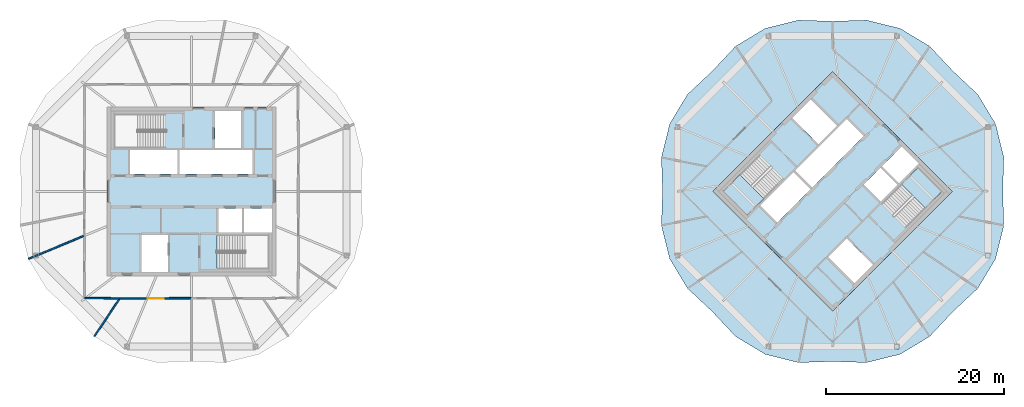
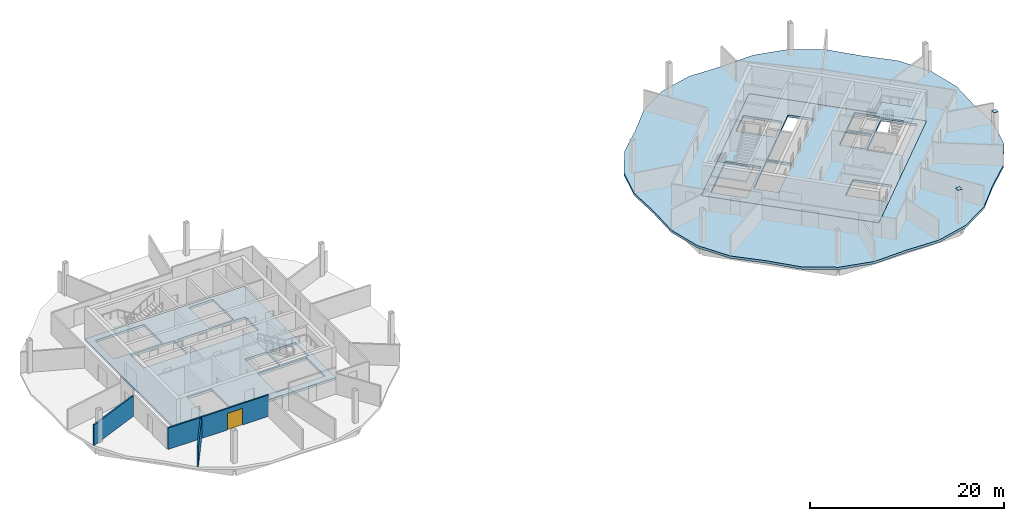
# One storey, part 4 of 10: 5 slabs, 4 walls, 2 plates, 1 door, 1 opening, 2 elements without a shape of their own.
"""IFC4 building model written with IfcOpenShell, lengths in metres."""

from ifc_helpers import new_model, si_unit, direction, frame, frame_2d, origin, place, context, subcontext, project, spatial, polyline, rectangle, outline, extrude, material, layer, layer_set, type_object, element, fill, aggregate, save


model = new_model("IFC4")

# Units and contexts
model_context = context("Model", 3, precision=1e-05, world=origin(), true_north=direction((0.0, 1.0)))
body_context = subcontext(model_context, "Body", "Model", "MODEL_VIEW")
ifc_project = project(units=[si_unit("LENGTHUNIT", "METRE"), si_unit("AREAUNIT", "SQUARE_METRE"), si_unit("VOLUMEUNIT", "CUBIC_METRE"), si_unit("PLANEANGLEUNIT", "RADIAN"), si_unit("MASSUNIT", "GRAM", prefix="KILO")], contexts=[model_context])

# Site, building, storey
site_placement = place(None, origin())
site = spatial("IfcSite", under=ifc_project, at=site_placement, CompositionType="ELEMENT")
building_placement = place(site_placement, origin())
building = spatial("IfcBuilding", under=site, at=building_placement, Name="Ogive Gate Towers", CompositionType="ELEMENT")
storey_placement = place(building_placement, frame((0.0, 0.0, 264.60009765625)))
storey = spatial("IfcBuildingStorey", under=building, at=storey_placement, Name="L62", CompositionType="ELEMENT", Elevation=264.60009765625)

# Slabs
ifc_material_1 = material(Name="Concrete C40/50", Category="concrete")
ifc_layer_1 = layer(ifc_material_1, 0.300048828125)
ifc_layer_set_1 = layer_set([ifc_layer_1], Name="Core slab C40/50 300 mm")
slab_type_1 = type_object("IfcSlabType", Name="Core slab C40/50 300 mm", PredefinedType="FLOOR", material=ifc_layer_set_1)
slab_1_placement = place(storey_placement, frame((0.0, 0.0, -0.300048828125)))
element("IfcSlab", 1, at=slab_1_placement, inside=storey, type_object=slab_type_1, Name="T1 L62 core slab", PredefinedType="FLOOR", context=body_context, shape_type="SweptSolid", body=[
    extrude(outline(polyline([(-45.5, -9.5), (-45.5, 9.5), (-26.5, 9.5), (-26.5, -9.5), (-45.5, -9.5)]), holes=[polyline([(-42.875, 1.925048828125), (-37.574951171875, 1.925048828125), (-37.574951171875, 4.625), (-42.875, 4.625), (-42.875, 1.925048828125)]), polyline([(-37.324951171875, 4.625), (-37.324951171875, 1.925048828125), (-29.125, 1.925048828125), (-29.125, 4.625), (-37.324951171875, 4.625)]), polyline([(-30.324951171875, -1.925048828125), (-32.97509765625, -1.925048828125), (-32.97509765625, -4.625), (-30.324951171875, -4.625), (-30.324951171875, -1.925048828125)]), polyline([(-26.949951171875, -4.625), (-26.949951171875, -1.925048828125), (-30.074951171875, -1.925048828125), (-30.074951171875, -4.625), (-26.949951171875, -4.625)]), polyline([(-33.375, 4.875), (-30.425048828125, 4.875), (-30.425048828125, 9.050048828125), (-33.375, 9.050048828125), (-33.375, 4.875)]), polyline([(-41.574951171875, -4.875), (-41.574951171875, -9.050048828125), (-38.625, -9.050048828125), (-38.625, -4.875), (-41.574951171875, -4.875)]), polyline([(-44.699951171875, 4.875), (-38.885009765625, 4.875), (-38.885009765625, 8.699951171875), (-44.699951171875, 8.699951171875), (-44.699951171875, 4.875)]), polyline([(-27.300048828125, -8.699951171875), (-27.300048828125, -4.875), (-33.114990234375, -4.875), (-33.114990234375, -8.699951171875), (-27.300048828125, -8.699951171875)])]), origin(), (0.0, 0.0, 1.0), 0.300048828125),
])
slab_2_placement = place(storey_placement, frame((0.0, 0.0, -0.300048828125)))
element("IfcSlab", 2, at=slab_2_placement, inside=storey, type_object=slab_type_1, Name="T2 L62 core slab", PredefinedType="FLOOR", context=body_context, shape_type="SweptSolid", body=[
    extrude(outline(polyline([(36.0, -13.43505859375), (22.56494140625, 0.0), (36.0, 13.43505859375), (49.43505859375, 0.0), (36.0, -13.43505859375)]), holes=[polyline([(29.777587890625, -3.500244140625), (33.525146484375, 0.24755859375), (31.615966796875, 2.15673828125), (27.868408203125, -1.591064453125), (29.777587890625, -3.500244140625)]), polyline([(31.792724609375, 2.33349609375), (33.701904296875, 0.42431640625), (39.500244140625, 6.222412109375), (37.591064453125, 8.131591796875), (31.792724609375, 2.33349609375)]), polyline([(41.3740234375, 2.651611328125), (39.500244140625, 0.77783203125), (41.409423828125, -1.13134765625), (43.283203125, 0.742431640625), (41.3740234375, 2.651611328125)]), polyline([(45.669677734375, 3.12890625), (43.760498046875, 5.0380859375), (41.55078125, 2.828369140625), (43.4599609375, 0.919189453125), (45.669677734375, 3.12890625)]), polyline([(34.408935546875, 5.30322265625), (36.4951171875, 7.389404296875), (33.542724609375, 10.34130859375), (31.456787109375, 8.255615234375), (34.408935546875, 5.30322265625)]), polyline([(35.5048828125, -7.389404296875), (38.457275390625, -10.34130859375), (40.543212890625, -8.255615234375), (37.591064453125, -5.30322265625), (35.5048828125, -7.389404296875)]), polyline([(26.40087890625, -2.70458984375), (30.512939453125, 1.406982421875), (27.80810546875, 4.11181640625), (23.6962890625, 0.0), (26.40087890625, -2.70458984375)]), polyline([(48.3037109375, 0.0), (45.59912109375, 2.70458984375), (41.487060546875, -1.406982421875), (44.19189453125, -4.11181640625), (48.3037109375, 0.0)])]), origin(), (0.0, 0.0, 1.0), 0.300048828125),
])
ifc_material_2 = material(Name="Concrete C35/45", Category="concrete")
ifc_layer_2 = layer(ifc_material_2, 0.300048828125)
ifc_layer_set_2 = layer_set([ifc_layer_2], Name="Floor slab 300")
slab_type_2 = type_object("IfcSlabType", Name="Floor slab 300", PredefinedType="FLOOR", material=ifc_layer_set_2)
slab_3_placement = place(storey_placement, frame((0.0, 0.0, -0.300048828125)))
element("IfcSlab", 3, at=slab_3_placement, inside=storey, type_object=slab_type_2, Name="T2/L62/SSL001", PredefinedType="FLOOR", context=body_context, shape_type="SweptSolid", body=[
    extrude(outline(polyline([(55.223388671875, -3.82373046875), (55.10009765625, 0.0), (55.223388671875, 3.82373046875), (54.292724609375, 7.5771484375), (52.296875, 10.88916015625), (49.505859375, 13.505859375), (46.88916015625, 16.296875), (43.5771484375, 18.292724609375), (39.82373046875, 19.223388671875), (36.0, 19.10009765625), (32.17626953125, 19.223388671875), (28.4228515625, 18.292724609375), (25.11083984375, 16.296875), (22.494140625, 13.505859375), (19.703125, 10.88916015625), (17.707275390625, 7.5771484375), (16.776611328125, 3.82373046875), (16.89990234375, 0.0), (16.776611328125, -3.82373046875), (17.707275390625, -7.5771484375), (19.703125, -10.88916015625), (22.494140625, -13.505859375), (25.11083984375, -16.296875), (28.4228515625, -18.292724609375), (32.17626953125, -19.223388671875), (36.0, -19.10009765625), (39.82373046875, -19.223388671875), (43.5771484375, -18.292724609375), (46.88916015625, -16.296875), (49.505859375, -13.505859375), (52.296875, -10.88916015625), (54.292724609375, -7.5771484375), (55.223388671875, -3.82373046875)]), holes=[polyline([(49.43505859375, 0.0), (36.0, -13.43505859375), (22.56494140625, 0.0), (36.0, 13.43505859375), (49.43505859375, 0.0)])]), origin(), (0.0, 0.0, 1.0), 0.300048828125),
])

# Plates
ifc_material_3 = material(Name="Steel SM460", Category="steel")
ifc_layer_3 = layer(ifc_material_3, 0.030029296875)
ifc_layer_set_3 = layer_set([ifc_layer_3], Name="Hollow section end plate 30")
plate_type = type_object("IfcPlateType", Name="Hollow section end plate 30", PredefinedType="SHEET", material=ifc_layer_set_3)
for number, where, z_axis, x_axis, name in (
    (4, (42.96728515625, -17.67431640625, 4.22998046875), (0.0, 0.0, 1.0), (1.0, 0.0, 0.0), "End plate"),
    (5, (53.17431640625, -7.46728515625, 4.22998046875), (0.0, 0.0, 1.0), (1.0, 0.0, 0.0), "End plate"),
):
    element("IfcPlate", number, at=place(storey_placement, frame(where, z_axis=z_axis, x_axis=x_axis)), inside=storey, type_object=plate_type, Name=name, PredefinedType="SHEET", context=body_context, shape_type="SweptSolid", body=[
        extrude(outline(polyline([(0.0, 0.0), (0.5, 0.0), (0.5, 0.5), (0.0, 0.5), (0.0, 0.0)])), origin(), (0.0, 0.0, -1.0), 0.030029296875),
    ])

# Stair, slab
stair_type = type_object("IfcStairType", Name="Escape stair 1840 wide", PredefinedType="HALF_TURN_STAIR", material=ifc_material_1)
stair_1_placement = place(storey_placement, origin())
stair_1 = element("IfcStair", 6, at=stair_1_placement, inside=storey, type_object=stair_type, Name="L62 Escape stair 1", PredefinedType="HALF_TURN_STAIR")
ifc_layer_4 = layer(ifc_material_1, 0.199951171875)
ifc_layer_set_4 = layer_set([ifc_layer_4], Name="Stair landing 200 mm")
slab_type_3 = type_object("IfcSlabType", Name="Stair landing 200 mm", PredefinedType="LANDING", material=ifc_layer_set_4)
slab_4_placement = place(storey_placement, frame((0.0, 0.0, 1.89990234375)))
slab_4 = element("IfcSlab", 7, at=slab_4_placement, type_object=slab_type_3, Name="ST1 landing 1", PredefinedType="LANDING", context=body_context, shape_type="SweptSolid", body=[
    extrude(outline(polyline([(25.586181640625, 1.8896484375), (23.6962890625, 0.0), (26.401123046875, -2.70458984375), (28.290771484375, -0.81494140625), (25.586181640625, 1.8896484375)])), origin(), (0.0, 0.0, 1.0), 0.199951171875),
])
aggregate(stair_1, [slab_4])

stair_2_placement = place(storey_placement, origin())
stair_2 = element("IfcStair", 8, at=stair_2_placement, inside=storey, type_object=stair_type, Name="L62 Escape stair 2", PredefinedType="HALF_TURN_STAIR")
slab_5_placement = place(storey_placement, frame((0.0, 0.0, 1.89990234375)))
slab_5 = element("IfcSlab", 9, at=slab_5_placement, type_object=slab_type_3, Name="ST2 landing 1", PredefinedType="LANDING", context=body_context, shape_type="SweptSolid", body=[
    extrude(outline(polyline([(46.413818359375, -1.8896484375), (48.3037109375, 0.0), (45.598876953125, 2.70458984375), (43.709228515625, 0.81494140625), (46.413818359375, -1.8896484375)])), origin(), (0.0, 0.0, 1.0), 0.199951171875),
])
aggregate(stair_2, [slab_5])

# Walls
ifc_material_4 = material(Name="Gypsum board acoustic partition")
ifc_layer_5 = layer(ifc_material_4, 0.175048828125)
ifc_layer_set_5 = layer_set([ifc_layer_5], Name="Acoustic partition 175")
wall_type = type_object("IfcWallType", Name="Acoustic partition 175", PredefinedType="PARTITIONING", material=ifc_layer_set_5)
wall_1_placement = place(storey_placement, frame((-54.29296875, -7.5771484375, 0.0), z_axis=(0.0, 0.0, 1.0), x_axis=(0.923882053966, 0.382677344977, 0.0)))
element("IfcWall", 10, at=wall_1_placement, inside=storey, type_object=wall_type, Name="Partition T1-L62-008", PredefinedType="PARTITIONING", context=body_context, shape_type="SweptSolid", body=[
    extrude(rectangle(XDim=6.711669921875, YDim=0.175048828125, at=frame_2d((3.35595703125, 0.0))), origin(), (0.0, 0.0, 1.0), 2.599853515625),
])
wall_2_placement = place(storey_placement, frame((-46.896484375, -16.291259765625, 0.0), z_axis=(0.0, 0.0, 1.0), x_axis=(0.555968529854, 0.831203340833, 0.0)))
element("IfcWall", 11, at=wall_2_placement, inside=storey, type_object=wall_type, Name="Partition T1-L62-009", PredefinedType="PARTITIONING", context=body_context, shape_type="SweptSolid", body=[
    extrude(rectangle(XDim=5.061279296875, YDim=0.175048828125, at=frame_2d((2.53076171875, 0.0))), origin(), (0.0, 0.0, 1.0), 2.599853515625),
])
wall_3_placement = place(storey_placement, frame((-47.97998046875, -11.97998046875, 0.0), z_axis=(0.0, 0.0, 1.0), x_axis=(0.999968151812, -0.007980937424, 0.0)))
element("IfcWall", 12, at=wall_3_placement, inside=storey, type_object=wall_type, Name="Partition T1-L62-029", PredefinedType="PARTITIONING", context=body_context, shape_type="SweptSolid", body=[
    extrude(rectangle(XDim=3.9462890625, YDim=0.175048828125, at=frame_2d((1.97314453125, 0.0))), origin(), (0.0, 0.0, 1.0), 2.699951171875),
])

# Wall, opening, door
wall_4_placement = place(storey_placement, frame((-44.033935546875, -12.011474609375, 0.0), z_axis=(0.0, 0.0, 1.0), x_axis=(0.999998980027, 0.001428266085, 0.0)))
wall_4 = element("IfcWall", 13, at=wall_4_placement, inside=storey, type_object=wall_type, Name="Partition T1-L62-030", PredefinedType="PARTITIONING", context=body_context, shape_type="SweptSolid", body=[
    extrude(rectangle(XDim=8.033935546875, YDim=0.175048828125, at=frame_2d((4.01708984375, 0.0))), origin(), (0.0, 0.0, 1.0), 2.699951171875),
])
opening_placement = place(wall_4_placement, frame((3.116943359375, 0.0, 0.0)))
opening = element("IfcOpeningElement", 14, at=opening_placement, cuts=wall_4, Name="Opening T1-L62-D13", PredefinedType="OPENING", context=body_context, shape_type="SweptSolid", body=[
    extrude(rectangle(XDim=1.800048828125, YDim=2.10009765625, at=frame_2d((0.89990234375, 1.050048828125))), frame((0.0, 0.09765625, 0.0), z_axis=(0.0, -1.0, 0.0), x_axis=(1.0, 0.0, 0.0)), (0.0, 0.0, 1.0), 0.195068359375),
])
ifc_material_5 = material(Name="Timber door", Category="wood")
door_type = type_object("IfcDoorType", Name="Door pair 1800", OperationType="NOTDEFINED", PredefinedType="DOOR", material=ifc_material_5)
door_placement = place(opening_placement, origin())
door = element("IfcDoor", 15, at=door_placement, inside=storey, type_object=door_type, Name="Door T1-L62-D13", OperationType="DOUBLE_DOOR_DOUBLE_SWING", OverallHeight=2.10009765625, OverallWidth=1.800048828125, PredefinedType="DOOR", context=body_context, shape_type="SweptSolid", body=[
    extrude(rectangle(XDim=1.800048828125, YDim=2.10009765625, at=frame_2d((0.89990234375, 1.050048828125))), frame((0.0, 0.02490234375, 0.0), z_axis=(0.0, -1.0, 0.0), x_axis=(1.0, 0.0, 0.0)), (0.0, 0.0, 1.0), 0.050048828125),
])
fill(opening, door)

save(model, "model.ifc")
